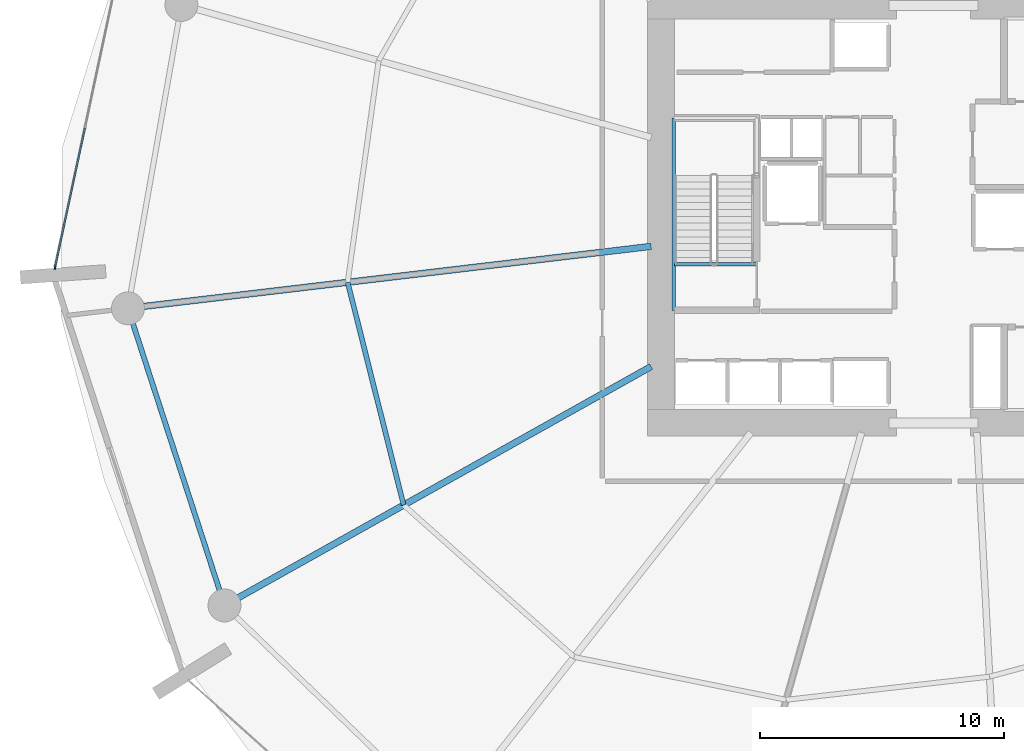
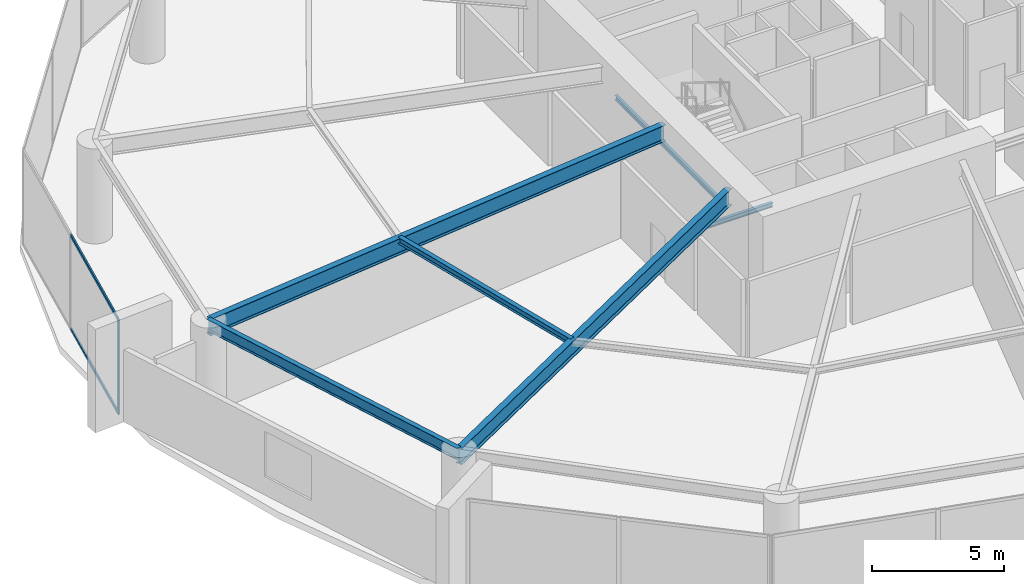
# One storey, part 8 of 22: 6 beams, 3 members, 1 element without a shape of its own.
"""IFC4 building model written with IfcOpenShell, lengths in metres."""

from ifc_helpers import new_model, si_unit, direction, frame, origin, origin_2d, place, context, subcontext, project, spatial, rectangle, i_section, extrude, material, layer, layer_set, material_profile, profile_set, type_object, element, aggregate, save


model = new_model("IFC4")

# Units and contexts
model_context = context("Model", 3, precision=1e-05, world=origin(), true_north=direction((0.0, 1.0)))
body_context = subcontext(model_context, "Body", "Model", "MODEL_VIEW")
ifc_project = project(units=[si_unit("LENGTHUNIT", "METRE"), si_unit("AREAUNIT", "SQUARE_METRE"), si_unit("VOLUMEUNIT", "CUBIC_METRE"), si_unit("PLANEANGLEUNIT", "RADIAN"), si_unit("MASSUNIT", "GRAM", prefix="KILO")], contexts=[model_context])

# Site, building, storey
site_placement = place(None, origin())
site = spatial("IfcSite", under=ifc_project, at=site_placement, CompositionType="ELEMENT")
building_placement = place(site_placement, origin())
building = spatial("IfcBuilding", under=site, at=building_placement, Name="Kazma Halo Residences", CompositionType="ELEMENT")
storey_placement = place(building_placement, frame((0.0, 0.0, 16.800048828125)))
storey = spatial("IfcBuildingStorey", under=building, at=storey_placement, Name="L03", CompositionType="ELEMENT", Elevation=16.800048828125)

# Beams
ifc_material_1 = material(Name="Steel S355", Category="steel")
ifc_material_profile_1 = material_profile(ifc_material_1, i_section(OverallWidth=0.26708984375, OverallDepth=0.761962890625, WebThickness=0.014404296875, FlangeThickness=0.021484375, FilletRadius=0.02001953125, at=origin_2d()), Name="W760x173")
ifc_profile_set_1 = profile_set([ifc_material_profile_1], Name="Steel S355")
beam_type_1 = type_object("IfcBeamType", Name="BM-POD-W760", PredefinedType="BEAM", material=ifc_profile_set_1)
beam_1_placement = place(storey_placement, frame((36.85009765625, 40.680419921875, 4.01904296875), z_axis=(-0.993068228459, -0.117539327996, 0.0), x_axis=(0.117539327996, -0.993068228459, 0.0)))
element("IfcBeam", 1, at=beam_1_placement, inside=storey, type_object=beam_type_1, Name="L03 radial floor beam 08", PredefinedType="BEAM", context=body_context, shape_type="SweptSolid", body=[
    extrude(i_section(OverallWidth=0.26708984375, OverallDepth=0.761962890625, WebThickness=0.014404296875, FlangeThickness=0.021484375, FilletRadius=0.02001953125, at=origin_2d()), origin(), (0.0, 0.0, 1.0), 21.58935546875),
])
beam_2_placement = place(storey_placement, frame((36.85009765625, 35.755615234375, 4.01904296875), z_axis=(-0.872498744017, -0.488616354299, 0.0), x_axis=(0.488616354299, -0.872498744017, 0.0)))
element("IfcBeam", 2, at=beam_2_placement, inside=storey, type_object=beam_type_1, Name="L03 radial floor beam 09", PredefinedType="BEAM", context=body_context, shape_type="SweptSolid", body=[
    extrude(i_section(OverallWidth=0.26708984375, OverallDepth=0.761962890625, WebThickness=0.014404296875, FlangeThickness=0.021484375, FilletRadius=0.02001953125, at=origin_2d()), origin(), (0.0, 0.0, 1.0), 20.037841796875),
])
ifc_material_profile_2 = material_profile(ifc_material_1, i_section(OverallWidth=0.202880859375, OverallDepth=0.302978515625, WebThickness=0.007568359375, FlangeThickness=0.01318359375, FilletRadius=0.013916015625, at=origin_2d()), Name="W310x60")
ifc_profile_set_2 = profile_set([ifc_material_profile_2], Name="Steel S355")
beam_type_2 = type_object("IfcBeamType", Name="BM-SEC-W310A", PredefinedType="JOIST", material=ifc_profile_set_2)
beam_3_placement = place(storey_placement, frame((24.4150390625, 39.20849609375, 4.24853515625), z_axis=(0.243737347729, -0.969841278417, 0.0), x_axis=(0.969841278417, 0.243737347729, 0.0)))
element("IfcBeam", 3, at=beam_3_placement, inside=storey, type_object=beam_type_2, Name="L03 circumferential floor joist 08", PredefinedType="JOIST", context=body_context, shape_type="SweptSolid", body=[
    extrude(i_section(OverallWidth=0.202880859375, OverallDepth=0.302978515625, WebThickness=0.007568359375, FlangeThickness=0.01318359375, FilletRadius=0.013916015625, at=origin_2d()), origin(), (0.0, 0.0, 1.0), 9.41552734375),
])
ifc_material_profile_3 = material_profile(ifc_material_1, i_section(OverallWidth=0.208984375, OverallDepth=0.532958984375, WebThickness=0.01025390625, FlangeThickness=0.015625, FilletRadius=0.01611328125, at=origin_2d()), Name="W530x92")
ifc_profile_set_3 = profile_set([ifc_material_profile_3], Name="Steel S355")
beam_type_3 = type_object("IfcBeamType", Name="BM-SPN-W530", PredefinedType="BEAM", material=ifc_profile_set_3)
beam_4_placement = place(storey_placement, frame((15.410400390625, 38.142822265625, 4.133544921875), z_axis=(0.3090114866, -0.951058305862, 0.0), x_axis=(0.951058305862, 0.3090114866, 0.0)))
element("IfcBeam", 4, at=beam_4_placement, inside=storey, type_object=beam_type_3, Name="L03 perimeter ring beam 08", PredefinedType="BEAM", context=body_context, shape_type="SweptSolid", body=[
    extrude(i_section(OverallWidth=0.208984375, OverallDepth=0.532958984375, WebThickness=0.01025390625, FlangeThickness=0.015625, FilletRadius=0.01611328125, at=origin_2d()), origin(), (0.0, 0.0, 1.0), 12.8046875),
])
ifc_material_profile_4 = material_profile(ifc_material_1, i_section(OverallWidth=0.133056640625, OverallDepth=0.20703125, WebThickness=0.005859375, FlangeThickness=0.00830078125, FilletRadius=0.010009765625, at=origin_2d()), Name="W200x26.6")
ifc_profile_set_4 = profile_set([ifc_material_profile_4], Name="Steel S355")
beam_type_4 = type_object("IfcBeamType", Name="BM-TRIM-W200", PredefinedType="BEAM", material=ifc_profile_set_4)
beam_5_placement = place(storey_placement, frame((37.800048828125, 39.949951171875, -0.429931640625), z_axis=(1.0, 0.0, 0.0), x_axis=(0.0, 1.0, 0.0)))
element("IfcBeam", 5, at=beam_5_placement, inside=storey, type_object=beam_type_4, Name="L03 ST-01 floor landing support beam", PredefinedType="BEAM", context=body_context, shape_type="SweptSolid", body=[
    extrude(i_section(OverallWidth=0.133056640625, OverallDepth=0.20703125, WebThickness=0.005859375, FlangeThickness=0.00830078125, FilletRadius=0.010009765625, at=origin_2d()), origin(), (0.0, 0.0, 1.0), 3.3798828125),
])
beam_6_placement = place(storey_placement, frame((37.780029296875, 38.06005859375, 2.094970703125), z_axis=(0.0, 1.0, 0.0), x_axis=(-1.0, 0.0, 0.0)))
element("IfcBeam", 6, at=beam_6_placement, inside=storey, type_object=beam_type_4, Name="L03 ST-01 landing west wall ledger", PredefinedType="BEAM", context=body_context, shape_type="SweptSolid", body=[
    extrude(i_section(OverallWidth=0.133056640625, OverallDepth=0.20703125, WebThickness=0.005859375, FlangeThickness=0.00830078125, FilletRadius=0.010009765625, at=origin_2d()), origin(), (0.0, 0.0, 1.0), 7.8798828125),
])

# Curtain wall, members
ifc_material_2 = material(Name="Aluminium AW-6063 T6 and Triple-Silver Low-E Glass", Category="aluminium")
ifc_layer = layer(ifc_material_2, 0.179931640625)
ifc_layer_set = layer_set([ifc_layer], Name="Aluminium AW-6063 T6 and Triple-Silver Low-E Glass")
curtain_wall_type = type_object("IfcCurtainWallType", Name="CW-SYS-1", PredefinedType="NOTDEFINED", material=ifc_layer_set)
curtain_wall_placement = place(storey_placement, origin())
curtain_wall = element("IfcCurtainWall", 7, at=curtain_wall_placement, inside=storey, type_object=curtain_wall_type, Name="L03 unitised curtain wall B07", PredefinedType="NOTDEFINED")
ifc_material_3 = material(Name="Aluminium AW-6063 T6", Category="aluminium")
ifc_material_profile_5 = material_profile(ifc_material_3, rectangle(XDim=0.06494140625, YDim=0.179931640625, at=origin_2d()), Name="CWM-65x180")
ifc_profile_set_5 = profile_set([ifc_material_profile_5], Name="Aluminium AW-6063 T6")
member_type_1 = type_object("IfcMemberType", Name="CW-SYS-1-MUL", PredefinedType="MULLION", material=ifc_profile_set_5)
member_1_placement = place(storey_placement, frame((12.426025390625, 39.824462890625, 0.0), z_axis=(0.0, 0.0, 1.0), x_axis=(0.977788157631, -0.209595607771, 0.0)))
member_1 = element("IfcMember", 8, at=member_1_placement, type_object=member_type_1, Name="CWS-1 mullion 3", PredefinedType="MULLION", context=body_context, shape_type="SweptSolid", body=[
    extrude(rectangle(XDim=0.06494140625, YDim=0.179931640625, at=origin_2d()), origin(), (0.0, 0.0, 1.0), 4.39990234375),
])
ifc_material_profile_6 = material_profile(ifc_material_3, rectangle(XDim=0.06494140625, YDim=0.135009765625, at=origin_2d()), Name="CWT-65x135")
ifc_profile_set_6 = profile_set([ifc_material_profile_6], Name="Aluminium AW-6063 T6")
member_type_2 = type_object("IfcMemberType", Name="CW-SYS-1-TRN", PredefinedType="USERDEFINED", material=ifc_profile_set_6)
member_2_placement = place(storey_placement, frame((13.649658203125, 45.532958984375, 0.032470703125), z_axis=(-0.209586525071, -0.977790104526, 0.0), x_axis=(0.977790104526, -0.209586525071, 0.0)))
member_2 = element("IfcMember", 9, at=member_2_placement, type_object=member_type_2, Name="CWS-1 transom 2.1", ObjectType="TRANSOM", PredefinedType="USERDEFINED", context=body_context, shape_type="SweptSolid", body=[
    extrude(rectangle(XDim=0.06494140625, YDim=0.135009765625, at=origin_2d()), origin(), (0.0, 0.0, 1.0), 5.8056640625),
])
member_3_placement = place(storey_placement, frame((13.649658203125, 45.532958984375, 4.367431640625), z_axis=(-0.209586525071, -0.977790104526, 0.0), x_axis=(0.977790104526, -0.209586525071, 0.0)))
member_3 = element("IfcMember", 10, at=member_3_placement, type_object=member_type_2, Name="CWS-1 transom 2.2", ObjectType="TRANSOM", PredefinedType="USERDEFINED", context=body_context, shape_type="SweptSolid", body=[
    extrude(rectangle(XDim=0.06494140625, YDim=0.135009765625, at=origin_2d()), origin(), (0.0, 0.0, 1.0), 5.8056640625),
])
aggregate(curtain_wall, [member_1, member_2, member_3])

save(model, "model.ifc")
